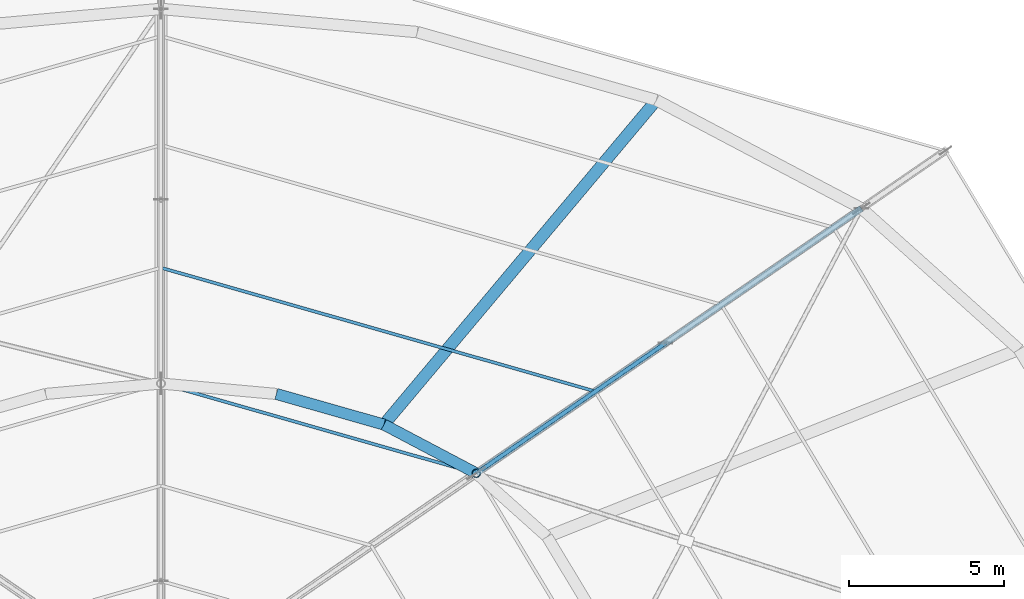
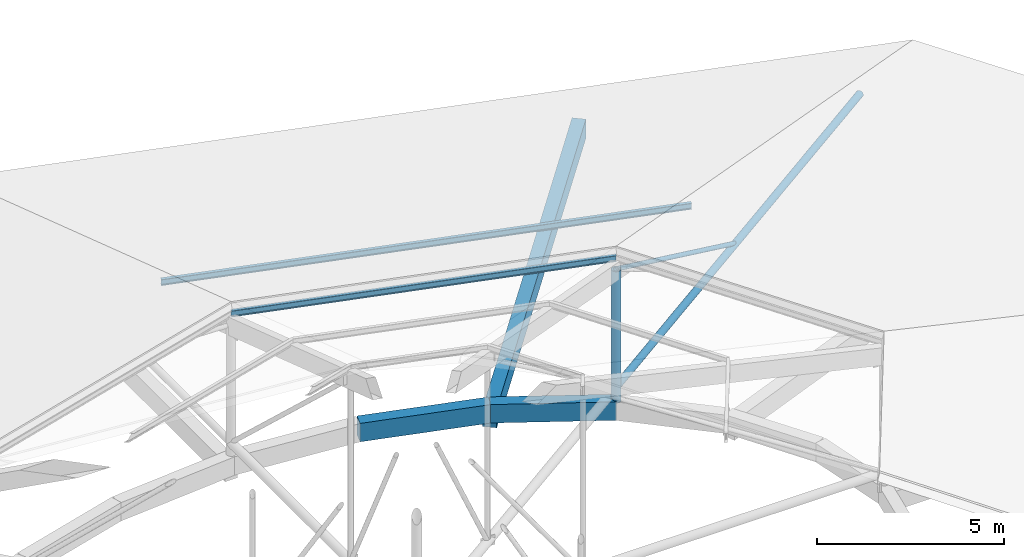
# One storey, part 37 of 66: 5 members, 3 beams.
"""IFC4 building model written with IfcOpenShell, lengths in metres."""

from ifc_helpers import new_model, si_unit, direction, frame, origin, origin_2d, place, context, subcontext, project, spatial, rectangle, hollow_circle, i_section, extrude, material, material_profile, profile_set, type_object, element, save


model = new_model("IFC4")

# Units and contexts
model_context = context("Model", 3, precision=1e-05, world=origin(), true_north=direction((0.0, 1.0)))
body_context = subcontext(model_context, "Body", "Model", "MODEL_VIEW")
ifc_project = project(units=[si_unit("LENGTHUNIT", "METRE"), si_unit("AREAUNIT", "SQUARE_METRE"), si_unit("VOLUMEUNIT", "CUBIC_METRE"), si_unit("PLANEANGLEUNIT", "RADIAN"), si_unit("MASSUNIT", "GRAM", prefix="KILO")], contexts=[model_context])

# Site, building, storey
site_placement = place(None, origin())
site = spatial("IfcSite", under=ifc_project, at=site_placement, CompositionType="ELEMENT")
building_placement = place(site_placement, origin())
building = spatial("IfcBuilding", under=site, at=building_placement, Name="Zornivar Specialist Clinic", CompositionType="ELEMENT")
storey_placement = place(building_placement, frame((0.0, 0.0, 16.0)))
storey = spatial("IfcBuildingStorey", under=building, at=storey_placement, Name="L04", CompositionType="ELEMENT", Elevation=16.0)

# Beams
ifc_material_1 = material(Name="Concrete C30/37", Category="concrete")
ifc_material_profile_1 = material_profile(ifc_material_1, rectangle(XDim=0.360107421875, YDim=0.60009765625, at=origin_2d()), Name="RC 360x600")
ifc_profile_set_1 = profile_set([ifc_material_profile_1], Name="Concrete C30/37")
beam_type_1 = type_object("IfcBeamType", Name="BM-RC-360x600", PredefinedType="BEAM", material=ifc_profile_set_1)
beam_1_placement = place(storey_placement, frame((103.781982421875, 64.60009765625, -0.300048828125), z_axis=(-0.884363165653, 0.466799519319, 0.0), x_axis=(-0.466799519319, -0.884363165653, 0.0)))
element("IfcBeam", 1, at=beam_1_placement, inside=storey, type_object=beam_type_1, Name="bm:V1:L04:inring:03", PredefinedType="BEAM", context=body_context, shape_type="SweptSolid", body=[
    extrude(rectangle(XDim=0.360107421875, YDim=0.60009765625, at=origin_2d()), origin(), (0.0, 0.0, 1.0), 3.371826171875),
])
beam_2_placement = place(storey_placement, frame((100.800048828125, 66.174072265625, -0.300048828125), z_axis=(-0.961765935349, 0.2738727544, 0.0), x_axis=(-0.2738727544, -0.961765935349, 0.0)))
element("IfcBeam", 2, at=beam_2_placement, inside=storey, type_object=beam_type_1, Name="bm:V1:L04:inring:04", PredefinedType="BEAM", context=body_context, shape_type="SweptSolid", body=[
    extrude(rectangle(XDim=0.360107421875, YDim=0.60009765625, at=origin_2d()), origin(), (0.0, 0.0, 1.0), 3.611328125),
])
ifc_material_2 = material(Name="Concrete C30/37", Category="concrete")
ifc_material_profile_2 = material_profile(ifc_material_2, rectangle(XDim=0.3798828125, YDim=0.6201171875, at=origin_2d()), Name="RC 380x620")
ifc_profile_set_2 = profile_set([ifc_material_profile_2], Name="Concrete C30/37")
beam_type_2 = type_object("IfcBeamType", Name="BM-RC-CANT-380x620", PredefinedType="BEAM", material=ifc_profile_set_2)
beam_3_placement = place(storey_placement, frame((100.800048828125, 66.174072265625, -0.550048828125), z_axis=(0.643092915703, 0.765788157242, 0.0), x_axis=(-0.765788157242, 0.643092915703, 0.0)))
element("IfcBeam", 3, at=beam_3_placement, inside=storey, type_object=beam_type_2, Name="bm:V1:L04:radcant:04", PredefinedType="BEAM", context=body_context, shape_type="SweptSolid", body=[
    extrude(rectangle(XDim=0.3798828125, YDim=0.6201171875, at=origin_2d()), origin(), (0.0, 0.0, 1.0), 13.683837890625),
])

# Members
ifc_material_3 = material(Name="Steel S355J2", Category="steel")
ifc_material_profile_3 = material_profile(ifc_material_3, hollow_circle(Radius=0.109619140625, WallThickness=0.012451171875, at=origin_2d()), Name="CHS 219.1x12.5")
ifc_profile_set_3 = profile_set([ifc_material_profile_3], Name="Steel S355J2")
member_type_1 = type_object("IfcMemberType", Name="MEM-CHORD-CHS219", PredefinedType="CHORD", material=ifc_profile_set_3)
member_1_placement = place(storey_placement, frame((116.22705078125, 73.156005859375, 0.360107421875), z_axis=(-0.824044282577, -0.566525392504, 0.0), x_axis=(0.566525392504, -0.824044282577, 0.0)))
element("IfcMember", 4, at=member_1_placement, inside=storey, type_object=member_type_1, Name="mem:V1:L04:rtie:1", PredefinedType="CHORD", context=body_context, shape_type="SweptSolid", body=[
    extrude(hollow_circle(Radius=0.109619140625, WallThickness=0.012451171875, at=origin_2d()), origin(), (0.0, 0.0, 1.0), 15.1025390625),
])
ifc_material_4 = material(Name="Steel S355J2", Category="steel")
ifc_material_profile_4 = material_profile(ifc_material_4, hollow_circle(Radius=0.136474609375, WallThickness=0.012451171875, at=origin_2d()), Name="CHS 273x12.5")
ifc_profile_set_4 = profile_set([ifc_material_profile_4], Name="Steel S355J2")
member_type_2 = type_object("IfcMemberType", Name="MEM-CHORD-CHS273", PredefinedType="CHORD", material=ifc_profile_set_4)
member_2_placement = place(storey_placement, frame((103.781982421875, 64.60009765625, -0.080078125), z_axis=(0.0, 0.0, 1.0), x_axis=(1.0, 0.0, 0.0)))
element("IfcMember", 5, at=member_2_placement, inside=storey, type_object=member_type_2, Name="mem:V1:L04:post:in:1", PredefinedType="CHORD", context=body_context, shape_type="SweptSolid", body=[
    extrude(hollow_circle(Radius=0.136474609375, WallThickness=0.012451171875, at=origin_2d()), origin(), (0.0, 0.0, 1.0), 4.2841796875),
])
ifc_material_5 = material(Name="Steel S355J2", Category="steel")
ifc_material_profile_5 = material_profile(ifc_material_5, hollow_circle(Radius=0.06982421875, WallThickness=0.008056640625, at=origin_2d()), Name="CHS 139.7x8")
ifc_profile_set_5 = profile_set([ifc_material_profile_5], Name="Steel S355J2")
member_type_3 = type_object("IfcMemberType", Name="MEM-DIAG-CHS140", PredefinedType="BRACE", material=ifc_profile_set_5)
member_3_placement = place(storey_placement, frame((109.89111328125, 68.800048828125, 0.360107421875), z_axis=(-0.731554480628, -0.502934569406, 0.460309527134), x_axis=(0.566521834735, -0.82404672851, 0.0)))
element("IfcMember", 6, at=member_3_placement, inside=storey, type_object=member_type_3, Name="mem:V1:L04:diag2:1", PredefinedType="BRACE", context=body_context, shape_type="SweptSolid", body=[
    extrude(hollow_circle(Radius=0.06982421875, WallThickness=0.008056640625, at=origin_2d()), origin(), (0.0, 0.0, 1.0), 8.350830078125),
])
ifc_material_6 = material(Name="Steel S355J2", Category="steel")
ifc_material_profile_6 = material_profile(ifc_material_6, i_section(OverallWidth=0.10009765625, OverallDepth=0.199951171875, WebThickness=0.005615234375, FlangeThickness=0.008544921875, FilletRadius=0.011962890625, at=origin_2d()), Name="IPE 200")
ifc_profile_set_6 = profile_set([ifc_material_profile_6], Name="Steel S355J2")
member_type_4 = type_object("IfcMemberType", Name="MEM-PURLIN-IPE200", PredefinedType="PURLIN", material=ifc_profile_set_6)
member_4_placement = place(storey_placement, frame((107.62890625, 67.2451171875, 3.323974609375), z_axis=(-0.961765477933, 0.273874360715, 0.0), x_axis=(-0.273874360715, -0.961765477933, 0.0)))
element("IfcMember", 7, at=member_4_placement, inside=storey, type_object=member_type_4, Name="mem:V1:L04:purl:1:03", PredefinedType="PURLIN", context=body_context, shape_type="SweptSolid", body=[
    extrude(i_section(OverallWidth=0.10009765625, OverallDepth=0.199951171875, WebThickness=0.005615234375, FlangeThickness=0.008544921875, FilletRadius=0.011962890625, at=origin_2d()), origin(), (0.0, 0.0, 1.0), 14.58642578125),
])
member_5_placement = place(storey_placement, frame((103.781982421875, 64.60009765625, 4.569091796875), z_axis=(-0.961753349851, 0.273916947357, 0.0), x_axis=(-0.273916947357, -0.961753349851, 0.0)))
element("IfcMember", 8, at=member_5_placement, inside=storey, type_object=member_type_4, Name="mem:V1:L04:purl:1:04", PredefinedType="PURLIN", context=body_context, shape_type="SweptSolid", body=[
    extrude(i_section(OverallWidth=0.10009765625, OverallDepth=0.199951171875, WebThickness=0.005615234375, FlangeThickness=0.008544921875, FilletRadius=0.011962890625, at=origin_2d()), origin(), (0.0, 0.0, 1.0), 10.5869140625),
])

save(model, "model.ifc")
